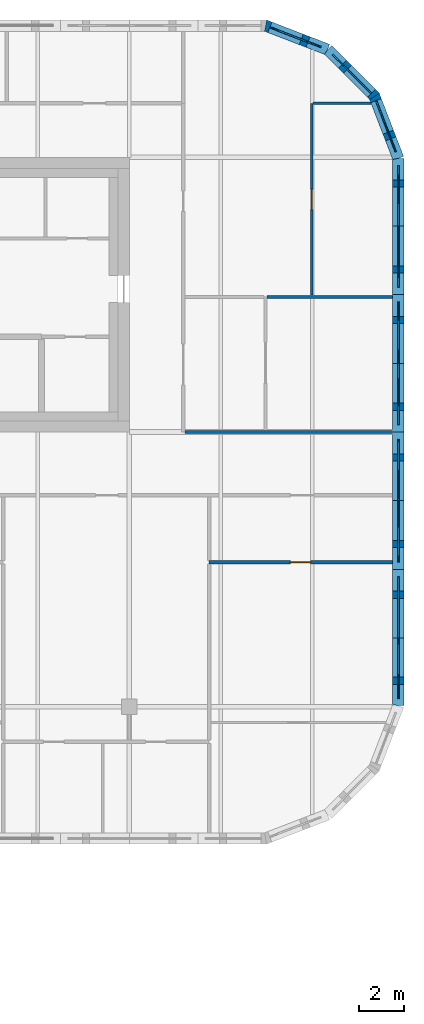
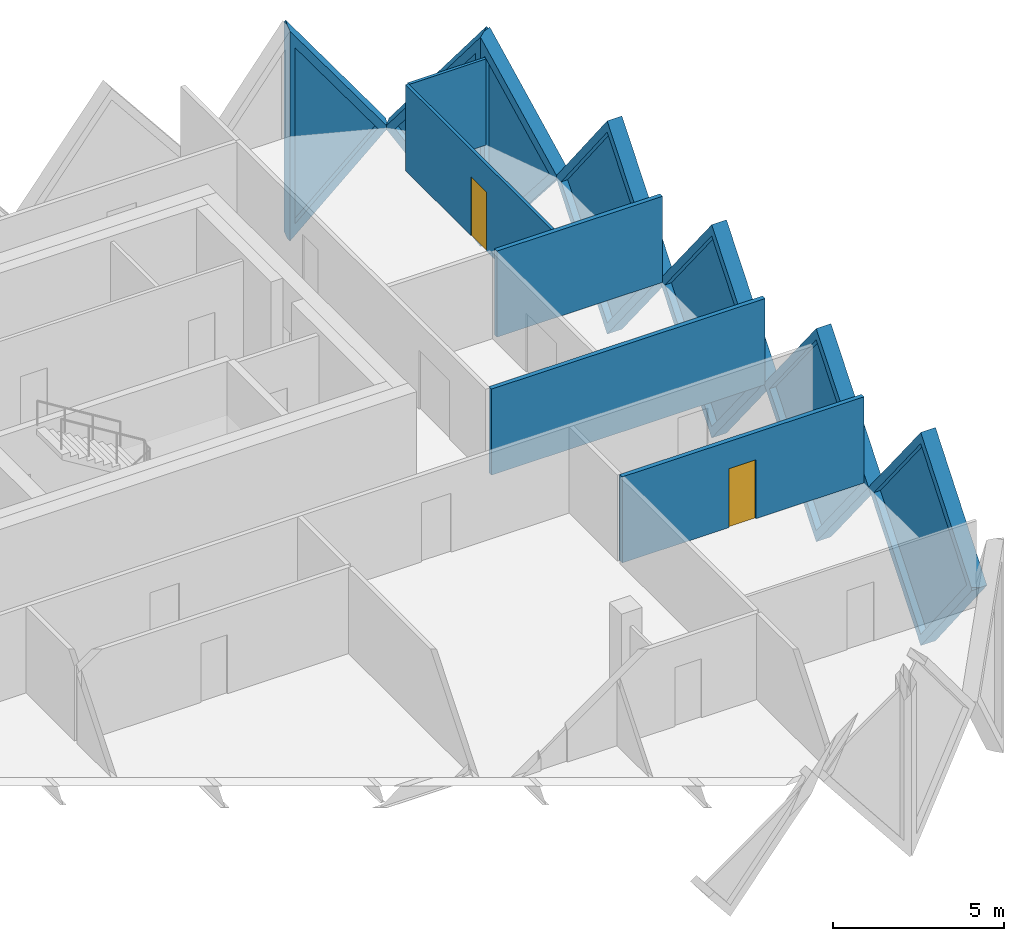
# One storey, part 16 of 19: 12 walls, 7 plates, 2 doors, 9 openings.
"""IFC4 building model written with IfcOpenShell, lengths in metres."""

from ifc_helpers import new_model, si_unit, direction, frame, frame_2d, origin, place, context, subcontext, project, spatial, polyline, rectangle, outline, extrude, faceted_brep, source, transform, mapped, material, layer, layer_set, type_object, element, fill, save


model = new_model("IFC4")

# Units and contexts
model_context = context("Model", 3, precision=1e-05, world=origin(), true_north=direction((0.0, 1.0)))
body_context = subcontext(model_context, "Body", "Model", "MODEL_VIEW")
ifc_project = project(units=[si_unit("LENGTHUNIT", "METRE"), si_unit("AREAUNIT", "SQUARE_METRE"), si_unit("VOLUMEUNIT", "CUBIC_METRE"), si_unit("PLANEANGLEUNIT", "RADIAN"), si_unit("MASSUNIT", "GRAM", prefix="KILO")], contexts=[model_context])

# Site, building, storey
site_placement = place(None, origin())
site = spatial("IfcSite", under=ifc_project, at=site_placement, CompositionType="ELEMENT")
building_placement = place(site_placement, origin())
building = spatial("IfcBuilding", under=site, at=building_placement, Name="Tessera Gate Towers", CompositionType="ELEMENT")
storey_placement = place(building_placement, frame((0.0, 0.0, 76.199951171875)))
storey = spatial("IfcBuildingStorey", under=building, at=storey_placement, Name="L18", CompositionType="ELEMENT", Elevation=76.199951171875)

# Wall
ifc_material_1 = material(Name="Gypsum board on steel studs, mineral wool", Category="steel")
ifc_layer_1 = layer(ifc_material_1, 0.14990234375)
ifc_layer_set_1 = layer_set([ifc_layer_1], Name="CORRIDOR WALL 150")
wall_type_1 = type_object("IfcWallType", Name="CORRIDOR WALL 150", PredefinedType="PARTITIONING", material=ifc_layer_set_1)
wall_1_placement = place(storey_placement, frame((124.47607421875, 36.60009765625, 0.0), z_axis=(0.0, 0.0, 1.0), x_axis=(1.0, 0.0, 0.0)))
element("IfcWall", 1, at=wall_1_placement, inside=storey, type_object=wall_type_1, Name="T2-L18-PW-031", PredefinedType="PARTITIONING", context=body_context, shape_type="SweptSolid", body=[
    extrude(rectangle(XDim=9.223876953125, YDim=0.14990234375, at=frame_2d((4.61181640625, 0.0))), origin(), (0.0, 0.0, 1.0), 3.067138671875),
])

# Wall, opening, door
ifc_material_2 = material(Name="Glass", Category="glass")
ifc_layer_2 = layer(ifc_material_2, 0.10009765625)
ifc_layer_set_2 = layer_set([ifc_layer_2], Name="GLAZED PARTITION 100")
wall_type_2 = type_object("IfcWallType", Name="GLAZED PARTITION 100", PredefinedType="PARTITIONING", material=ifc_layer_set_2)
wall_2_placement = place(storey_placement, frame((130.10009765625, 51.199951171875, 0.0), z_axis=(0.0, 0.0, 1.0), x_axis=(0.0, -1.0, 0.0)))
wall_2 = element("IfcWall", 2, at=wall_2_placement, inside=storey, type_object=wall_type_2, Name="T2-L18-PW-038", PredefinedType="PARTITIONING", context=body_context, shape_type="SweptSolid", body=[
    extrude(rectangle(XDim=8.52392578125, YDim=0.10009765625, at=frame_2d((4.261962890625, 0.0))), origin(), (0.0, 0.0, 1.0), 3.067138671875),
])
shared_shape_1 = source(origin(), body_context, "Body", "SweptSolid", [
    extrude(rectangle(XDim=0.89990234375, YDim=2.10009765625, at=frame_2d((0.449951171875, 1.050048828125))), frame((0.0, 0.06005859375, 0.0), z_axis=(0.0, -1.0, 0.0), x_axis=(1.0, 0.0, 0.0)), (0.0, 0.0, 1.0), 0.1201171875),
])
opening_1_placement = place(wall_2_placement, frame((3.823974609375, 0.0, 0.0)))
opening_1 = element("IfcOpeningElement", 3, at=opening_1_placement, cuts=wall_2, Name="Opening D690-B07-03", PredefinedType="OPENING", context=body_context, shape_type="MappedRepresentation", body=[
    mapped(shared_shape_1, transform((0.0, 0.0, 0.0), scale=1.0)),
])
ifc_material_3 = material(Name="Glass in aluminium frame", Category="aluminium")
door_type_1 = type_object("IfcDoorType", Name="GLAZED DOOR 900 NOT RATED", OperationType="NOTDEFINED", PredefinedType="DOOR", material=ifc_material_3)
shared_shape_2 = source(origin(), body_context, "Body", "SweptSolid", [
    extrude(rectangle(XDim=0.89990234375, YDim=2.10009765625, at=frame_2d((0.449951171875, 1.050048828125))), frame((0.0, 0.02490234375, 0.0), z_axis=(0.0, -1.0, 0.0), x_axis=(1.0, 0.0, 0.0)), (0.0, 0.0, 1.0), 0.050048828125),
])
door_1_placement = place(opening_1_placement, origin())
door_1 = element("IfcDoor", 4, at=door_1_placement, inside=storey, type_object=door_type_1, Name="T2-L18-PD-026", OperationType="SINGLE_SWING_RIGHT", OverallHeight=2.10009765625, OverallWidth=0.89990234375, PredefinedType="DOOR", context=body_context, shape_type="MappedRepresentation", body=[
    mapped(shared_shape_2, transform((0.0, 0.0, 0.0), scale=1.0)),
])
fill(opening_1, door_1)

# Wall
wall_3_placement = place(storey_placement, frame((130.15087890625, 51.199951171875, 0.0), z_axis=(0.0, 0.0, 1.0), x_axis=(1.0, 0.0, 0.0)))
element("IfcWall", 5, at=wall_3_placement, inside=storey, type_object=wall_type_2, Name="T2-L18-PW-048", PredefinedType="PARTITIONING", context=body_context, shape_type="SweptSolid", body=[
    extrude(rectangle(XDim=2.58740234375, YDim=0.10009765625, at=frame_2d((1.293701171875, 0.0))), origin(), (0.0, 0.0, 1.0), 3.067138671875),
])

# Wall, opening, door
ifc_material_4 = material(Name="Gypsum board on steel studs, mineral wool", Category="steel")
ifc_layer_3 = layer(ifc_material_4, 0.14990234375)
ifc_layer_set_3 = layer_set([ifc_layer_3], Name="TENANCY WALL 150")
wall_type_3 = type_object("IfcWallType", Name="TENANCY WALL 150", PredefinedType="PARTITIONING", material=ifc_layer_set_3)
wall_4_placement = place(storey_placement, frame((133.699951171875, 30.824951171875, 0.0), z_axis=(0.0, 0.0, 1.0), x_axis=(-1.0, 0.0, 0.0)))
wall_4 = element("IfcWall", 6, at=wall_4_placement, inside=storey, type_object=wall_type_3, Name="T2-L18-PW-023", PredefinedType="PARTITIONING", context=body_context, shape_type="SweptSolid", body=[
    extrude(rectangle(XDim=8.14990234375, YDim=0.14990234375, at=frame_2d((4.074951171875, 0.0))), origin(), (0.0, 0.0, 1.0), 3.067138671875),
])
shared_shape_3 = source(origin(), body_context, "Body", "SweptSolid", [
    extrude(rectangle(XDim=0.89990234375, YDim=2.10009765625, at=frame_2d((0.449951171875, 1.050048828125))), frame((0.0, 0.0849609375, 0.0), z_axis=(0.0, -1.0, 0.0), x_axis=(1.0, 0.0, 0.0)), (0.0, 0.0, 1.0), 0.169921875),
])
opening_2_placement = place(wall_4_placement, frame((3.64990234375, 0.0, 0.0)))
opening_2 = element("IfcOpeningElement", 7, at=opening_2_placement, cuts=wall_4, Name="Opening D190-B07-11", PredefinedType="OPENING", context=body_context, shape_type="MappedRepresentation", body=[
    mapped(shared_shape_3, transform((0.0, 0.0, 0.0), scale=1.0)),
])
ifc_material_5 = material(Name="Timber door leaf in steel frame", Category="steel")
door_type_2 = type_object("IfcDoorType", Name="INTERNAL DOOR 900 NOT RATED", OperationType="NOTDEFINED", PredefinedType="DOOR", material=ifc_material_5)
door_2_placement = place(opening_2_placement, origin())
door_2 = element("IfcDoor", 8, at=door_2_placement, inside=storey, type_object=door_type_2, Name="T2-L18-PD-019", OperationType="SINGLE_SWING_RIGHT", OverallHeight=2.10009765625, OverallWidth=0.89990234375, PredefinedType="DOOR", context=body_context, shape_type="MappedRepresentation", body=[
    mapped(shared_shape_2, transform((0.0, 0.0, 0.0), scale=1.0)),
])
fill(opening_2, door_2)

# Wall
wall_5_placement = place(storey_placement, frame((128.1259765625, 42.60009765625, 0.0), z_axis=(0.0, 0.0, 1.0), x_axis=(1.0, 0.0, 0.0)))
element("IfcWall", 9, at=wall_5_placement, inside=storey, type_object=wall_type_3, Name="T2-L18-PW-037", PredefinedType="PARTITIONING", context=body_context, shape_type="SweptSolid", body=[
    extrude(rectangle(XDim=5.573974609375, YDim=0.14990234375, at=frame_2d((2.787109375, 0.0))), origin(), (0.0, 0.0, 1.0), 3.067138671875),
])

# Wall, opening, plate
ifc_material_6 = material(Name="Precast concrete C60/75 white", Category="concrete")
ifc_layer_4 = layer(ifc_material_6, 0.5)
ifc_layer_set_4 = layer_set([ifc_layer_4], Name="TS1 tessera")
wall_type_4 = type_object("IfcWallType", Name="TS1 tessera", PredefinedType="SOLIDWALL", material=ifc_layer_set_4)
shared_shape_4 = source(origin(), body_context, "Body", "Brep", [
    faceted_brep([(3.00341796875, -0.25, 0.0), (6.053466796875, -0.25, 3.800048828125), (3.00341796875, -0.25, 7.60009765625), (0.0, -0.25, 3.800048828125), (0.046630859375, 0.25, 3.85888671875), (3.00341796875, 0.25, 7.60009765625), (6.053466796875, 0.25, 3.800048828125), (3.00341796875, 0.25, 0.0), (0.046630859375, 0.25, 3.7412109375), (0.0, 0.0, 3.800048828125)], [[[0, 1, 2, 3]], [[4, 5, 6, 7, 8]], [[7, 6, 1, 0]], [[6, 5, 2, 1]], [[5, 4, 9, 3, 2]], [[8, 7, 0, 3, 9]], [[8, 9, 4]]]),
])
wall_6_placement = place(storey_placement, frame((133.949951171875, 24.446533203125, -3.800048828125), z_axis=(0.0, 0.0, 1.0), x_axis=(0.0, 1.0, 0.0)))
wall_6 = element("IfcWall", 10, at=wall_6_placement, inside=storey, type_object=wall_type_4, Name="Precast tessera T2 TS1-0203", PredefinedType="SOLIDWALL", context=body_context, shape_type="MappedRepresentation", body=[
    mapped(shared_shape_4, transform((0.0, 0.0, 0.0), scale=1.0)),
])
shared_shape_5 = source(origin(), body_context, "Body", "SweptSolid", [
    extrude(outline(polyline([(3.0048828125, 0.4013671875), (5.73291015625, 3.800048828125), (3.0048828125, 7.19873046875), (0.318603515625, 3.800048828125), (3.0048828125, 0.4013671875)])), frame((0.0, 0.260009765625, 0.0), z_axis=(0.0, -1.0, 0.0), x_axis=(1.0, 0.0, 0.0)), (0.0, 0.0, 1.0), 0.52001953125),
])
opening_3_placement = place(wall_6_placement, origin())
opening_3 = element("IfcOpeningElement", 11, at=opening_3_placement, cuts=wall_6, Name="Opening T2-PL2-0385", PredefinedType="OPENING", context=body_context, shape_type="MappedRepresentation", body=[
    mapped(shared_shape_5, transform((0.0, 0.0, 0.0), scale=1.0)),
])
ifc_material_7 = material(Name="Low-e laminated glass", Category="glass")
ifc_layer_5 = layer(ifc_material_7, 0.06005859375)
ifc_layer_set_5 = layer_set([ifc_layer_5], Name="PL2 rhombic pane")
plate_type = type_object("IfcPlateType", Name="PL2 rhombic pane", PredefinedType="SHEET", material=ifc_layer_set_5)
shared_shape_6 = source(origin(), body_context, "Body", "SweptSolid", [
    extrude(outline(polyline([(3.0048828125, 0.4013671875), (5.73291015625, 3.800048828125), (3.0048828125, 7.19873046875), (0.318603515625, 3.800048828125), (3.0048828125, 0.4013671875)])), frame((0.0, 0.030029296875, 0.0), z_axis=(0.0, -1.0, 0.0), x_axis=(1.0, 0.0, 0.0)), (0.0, 0.0, 1.0), 0.06005859375),
])
plate_1_placement = place(opening_3_placement, origin())
plate_1 = element("IfcPlate", 12, at=plate_1_placement, inside=storey, type_object=plate_type, Name="Glass pane T2 PL2-0385", PredefinedType="SHEET", context=body_context, shape_type="MappedRepresentation", body=[
    mapped(shared_shape_6, transform((0.0, 0.0, 0.0), scale=1.0)),
])
fill(opening_3, plate_1)

shared_shape_7 = source(origin(), body_context, "Body", "Brep", [
    faceted_brep([(3.050048828125, -0.25, 0.0), (6.099853515625, -0.25, 3.7998046875), (6.099853515625, -0.25, 3.80029296875), (3.050048828125, -0.25, 7.60009765625), (0.0, -0.25, 3.800048828125), (0.0, 0.25, 3.800048828125), (3.050048828125, 0.25, 7.60009765625), (6.099853515625, 0.25, 3.80029296875), (6.099853515625, 0.25, 3.7998046875), (3.050048828125, 0.25, 0.0)], [[[0, 1, 2, 3, 4]], [[5, 6, 7, 8, 9]], [[9, 8, 1, 0]], [[7, 6, 3, 2]], [[6, 5, 4, 3]], [[5, 9, 0, 4]], [[1, 8, 7, 2]]]),
])
wall_7_placement = place(storey_placement, frame((133.949951171875, 36.60009765625, -3.800048828125), z_axis=(0.0, 0.0, 1.0), x_axis=(0.0, 1.0, 0.0)))
wall_7 = element("IfcWall", 13, at=wall_7_placement, inside=storey, type_object=wall_type_4, Name="Precast tessera T2 TS1-0205", PredefinedType="SOLIDWALL", context=body_context, shape_type="MappedRepresentation", body=[
    mapped(shared_shape_7, transform((0.0, 0.0, 0.0), scale=1.0)),
])
shared_shape_8 = source(origin(), body_context, "Body", "SweptSolid", [
    extrude(outline(polyline([(3.050048828125, 0.3994140625), (5.779541015625, 3.800048828125), (3.050048828125, 7.20068359375), (0.320556640625, 3.800048828125), (3.050048828125, 0.3994140625)])), frame((0.0, 0.260009765625, 0.0), z_axis=(0.0, -1.0, 0.0), x_axis=(1.0, 0.0, 0.0)), (0.0, 0.0, 1.0), 0.52001953125),
])
opening_4_placement = place(wall_7_placement, origin())
opening_4 = element("IfcOpeningElement", 14, at=opening_4_placement, cuts=wall_7, Name="Opening T2-PL2-0387", PredefinedType="OPENING", context=body_context, shape_type="MappedRepresentation", body=[
    mapped(shared_shape_8, transform((0.0, 0.0, 0.0), scale=1.0)),
])
shared_shape_9 = source(origin(), body_context, "Body", "SweptSolid", [
    extrude(outline(polyline([(3.050048828125, 0.3994140625), (5.779541015625, 3.800048828125), (3.050048828125, 7.20068359375), (0.320556640625, 3.800048828125), (3.050048828125, 0.3994140625)])), frame((0.0, 0.030029296875, 0.0), z_axis=(0.0, -1.0, 0.0), x_axis=(1.0, 0.0, 0.0)), (0.0, 0.0, 1.0), 0.06005859375),
])
plate_2_placement = place(opening_4_placement, origin())
plate_2 = element("IfcPlate", 15, at=plate_2_placement, inside=storey, type_object=plate_type, Name="Glass pane T2 PL2-0387", PredefinedType="SHEET", context=body_context, shape_type="MappedRepresentation", body=[
    mapped(shared_shape_9, transform((0.0, 0.0, 0.0), scale=1.0)),
])
fill(opening_4, plate_2)

shared_shape_10 = source(origin(), body_context, "Body", "SweptSolid", [
    extrude(outline(polyline([(3.050048828125, 0.0), (6.10009765625, 3.800048828125), (3.050048828125, 7.60009765625), (0.0, 3.800048828125), (3.050048828125, 0.0)])), frame((0.0, 0.25, 0.0), z_axis=(0.0, -1.0, 0.0), x_axis=(1.0, 0.0, 0.0)), (0.0, 0.0, 1.0), 0.5),
])
wall_8_placement = place(storey_placement, frame((133.949951171875, 30.5, -3.800048828125), z_axis=(0.0, 0.0, 1.0), x_axis=(0.0, 1.0, 0.0)))
wall_8 = element("IfcWall", 16, at=wall_8_placement, inside=storey, type_object=wall_type_4, Name="Precast tessera T2 TS1-0204", PredefinedType="SOLIDWALL", context=body_context, shape_type="MappedRepresentation", body=[
    mapped(shared_shape_10, transform((0.0, 0.0, 0.0), scale=1.0)),
])
opening_5_placement = place(wall_8_placement, origin())
opening_5 = element("IfcOpeningElement", 17, at=opening_5_placement, cuts=wall_8, Name="Opening T2-PL2-0386", PredefinedType="OPENING", context=body_context, shape_type="MappedRepresentation", body=[
    mapped(shared_shape_8, transform((0.0, 0.0, 0.0), scale=1.0)),
])
plate_3_placement = place(opening_5_placement, origin())
plate_3 = element("IfcPlate", 18, at=plate_3_placement, inside=storey, type_object=plate_type, Name="Glass pane T2 PL2-0386", PredefinedType="SHEET", context=body_context, shape_type="MappedRepresentation", body=[
    mapped(shared_shape_9, transform((0.0, 0.0, 0.0), scale=1.0)),
])
fill(opening_5, plate_3)

shared_shape_11 = source(origin(), body_context, "Body", "Brep", [
    faceted_brep([(3.050048828125, -0.25, 0.0), (6.053466796875, -0.25, 3.800048828125), (3.050048828125, -0.25, 7.60009765625), (0.0, -0.25, 3.800048828125), (0.0, 0.25, 3.800048828125), (3.050048828125, 0.25, 7.60009765625), (6.0068359375, 0.25, 3.85888671875), (6.0068359375, 0.25, 3.7412109375), (3.050048828125, 0.25, 0.0), (6.053466796875, 0.0, 3.800048828125)], [[[0, 1, 2, 3]], [[4, 5, 6, 7, 8]], [[8, 7, 9, 1, 0]], [[6, 5, 2, 1, 9]], [[5, 4, 3, 2]], [[4, 8, 0, 3]], [[9, 7, 6]]]),
])
wall_9_placement = place(storey_placement, frame((133.949951171875, 42.699951171875, -3.800048828125), z_axis=(0.0, 0.0, 1.0), x_axis=(0.0, 1.0, 0.0)))
wall_9 = element("IfcWall", 19, at=wall_9_placement, inside=storey, type_object=wall_type_4, Name="Precast tessera T2 TS1-0206", PredefinedType="SOLIDWALL", context=body_context, shape_type="MappedRepresentation", body=[
    mapped(shared_shape_11, transform((0.0, 0.0, 0.0), scale=1.0)),
])
shared_shape_12 = source(origin(), body_context, "Body", "SweptSolid", [
    extrude(outline(polyline([(3.048583984375, 0.4013671875), (5.73486328125, 3.800048828125), (3.048583984375, 7.19873046875), (0.320556640625, 3.800048828125), (3.048583984375, 0.4013671875)])), frame((0.0, 0.260009765625, 0.0), z_axis=(0.0, -1.0, 0.0), x_axis=(1.0, 0.0, 0.0)), (0.0, 0.0, 1.0), 0.52001953125),
])
opening_6_placement = place(wall_9_placement, origin())
opening_6 = element("IfcOpeningElement", 20, at=opening_6_placement, cuts=wall_9, Name="Opening T2-PL2-0388", PredefinedType="OPENING", context=body_context, shape_type="MappedRepresentation", body=[
    mapped(shared_shape_12, transform((0.0, 0.0, 0.0), scale=1.0)),
])
shared_shape_13 = source(origin(), body_context, "Body", "SweptSolid", [
    extrude(outline(polyline([(3.048583984375, 0.4013671875), (5.73486328125, 3.800048828125), (3.048583984375, 7.19873046875), (0.320556640625, 3.800048828125), (3.048583984375, 0.4013671875)])), frame((0.0, 0.030029296875, 0.0), z_axis=(0.0, -1.0, 0.0), x_axis=(1.0, 0.0, 0.0)), (0.0, 0.0, 1.0), 0.06005859375),
])
plate_4_placement = place(opening_6_placement, origin())
plate_4 = element("IfcPlate", 21, at=plate_4_placement, inside=storey, type_object=plate_type, Name="Glass pane T2 PL2-0388", PredefinedType="SHEET", context=body_context, shape_type="MappedRepresentation", body=[
    mapped(shared_shape_13, transform((0.0, 0.0, 0.0), scale=1.0)),
])
fill(opening_6, plate_4)

ifc_material_8 = material(Name="Precast concrete C60/75 white", Category="concrete")
ifc_layer_6 = layer(ifc_material_8, 0.5)
ifc_layer_set_6 = layer_set([ifc_layer_6], Name="TS3 corner tessera")
wall_type_5 = type_object("IfcWallType", Name="TS3 corner tessera", PredefinedType="SOLIDWALL", material=ifc_layer_set_6)
shared_shape_14 = source(origin(), body_context, "Body", "Brep", [
    faceted_brep([(2.950439453125, -0.25, 0.0), (3.00341796875, -0.25, 0.068359375), (3.00341796875, -0.25, 7.53173828125), (2.950439453125, -0.25, 7.60009765625), (0.0, -0.25, 3.800048828125), (0.046630859375, 0.25, 3.860107421875), (2.897705078125, 0.25, 7.531982421875), (2.897705078125, 0.25, 0.068115234375), (0.046630859375, 0.25, 3.739990234375), (2.950439453125, 0.00048828125, 0.0), (2.950439453125, 0.00048828125, 7.60009765625), (0.0, 0.0, 3.800048828125)], [[[0, 1, 2, 3, 4]], [[5, 6, 7, 8]], [[1, 0, 9]], [[10, 3, 2]], [[6, 5, 11, 4, 3, 10]], [[8, 7, 9, 0, 4, 11]], [[8, 11, 5]], [[1, 9, 7, 6, 10, 2]]]),
])
wall_10_placement = place(storey_placement, frame((133.949951171875, 48.75341796875, -3.800048828125), z_axis=(0.0, 0.0, 1.0), x_axis=(-0.359855894603, 0.933007896601, 0.0)))
wall_10 = element("IfcWall", 22, at=wall_10_placement, inside=storey, type_object=wall_type_5, Name="Precast corner tessera T2 TS3-0263", PredefinedType="SOLIDWALL", context=body_context, shape_type="MappedRepresentation", body=[
    mapped(shared_shape_14, transform((0.0, 0.0, 0.0), scale=1.0)),
])
shared_shape_15 = source(origin(), body_context, "Body", "SweptSolid", [
    extrude(outline(polyline([(2.75048828125, 6.934814453125), (0.31640625, 3.800048828125), (2.75048828125, 0.665283203125), (2.75048828125, 6.934814453125)])), frame((0.0, 0.260009765625, 0.0), z_axis=(0.0, -1.0, 0.0), x_axis=(1.0, 0.0, 0.0)), (0.0, 0.0, 1.0), 0.52001953125),
])
opening_7_placement = place(wall_10_placement, origin())
opening_7 = element("IfcOpeningElement", 23, at=opening_7_placement, cuts=wall_10, Name="Opening T2-PL2-0389", PredefinedType="OPENING", context=body_context, shape_type="MappedRepresentation", body=[
    mapped(shared_shape_15, transform((0.0, 0.0, 0.0), scale=1.0)),
])
shared_shape_16 = source(origin(), body_context, "Body", "SweptSolid", [
    extrude(outline(polyline([(2.75048828125, 6.934814453125), (0.31640625, 3.800048828125), (2.75048828125, 0.665283203125), (2.75048828125, 6.934814453125)])), frame((0.0, 0.030029296875, 0.0), z_axis=(0.0, -1.0, 0.0), x_axis=(1.0, 0.0, 0.0)), (0.0, 0.0, 1.0), 0.06005859375),
])
plate_5_placement = place(opening_7_placement, origin())
plate_5 = element("IfcPlate", 24, at=plate_5_placement, inside=storey, type_object=plate_type, Name="Glass pane T2 PL2-0389", PredefinedType="SHEET", context=body_context, shape_type="MappedRepresentation", body=[
    mapped(shared_shape_16, transform((0.0, 0.0, 0.0), scale=1.0)),
])
fill(opening_7, plate_5)

shared_shape_17 = source(origin(), body_context, "Body", "Brep", [
    faceted_brep([(0.052978515625, -0.25, 0.0), (2.9970703125, -0.25, 3.800048828125), (0.052978515625, -0.25, 7.60009765625), (0.0, -0.25, 7.531982421875), (0.0, -0.25, 0.068115234375), (0.10595703125, 0.25, 7.53173828125), (2.944091796875, 0.25, 3.8681640625), (2.944091796875, 0.25, 3.73193359375), (0.10595703125, 0.25, 0.068359375), (2.9970703125, 0.000244140625, 3.800048828125), (0.052978515625, 0.0, 0.0), (0.052978515625, 0.0, 7.60009765625)], [[[0, 1, 2, 3, 4]], [[5, 6, 7, 8]], [[8, 7, 9, 1, 0, 10]], [[6, 5, 11, 2, 1, 9]], [[3, 2, 11]], [[10, 0, 4]], [[8, 10, 4, 3, 11, 5]], [[9, 7, 6]]]),
])
wall_11_placement = place(storey_placement, frame((132.925537109375, 51.46875, -3.800048828125), z_axis=(0.0, 0.0, 1.0), x_axis=(-0.707066050402, 0.707147509625, 0.0)))
wall_11 = element("IfcWall", 25, at=wall_11_placement, inside=storey, type_object=wall_type_5, Name="Precast corner tessera T2 TS3-0264", PredefinedType="SOLIDWALL", context=body_context, shape_type="MappedRepresentation", body=[
    mapped(shared_shape_17, transform((0.0, 0.0, 0.0), scale=1.0)),
])
shared_shape_18 = source(origin(), body_context, "Body", "SweptSolid", [
    extrude(outline(polyline([(0.2529296875, 0.66650390625), (2.680908203125, 3.800048828125), (0.2529296875, 6.933837890625), (0.2529296875, 0.66650390625)])), frame((0.0, 0.260009765625, 0.0), z_axis=(0.0, -1.0, 0.0), x_axis=(1.0, 0.0, 0.0)), (0.0, 0.0, 1.0), 0.52001953125),
])
opening_8_placement = place(wall_11_placement, origin())
opening_8 = element("IfcOpeningElement", 26, at=opening_8_placement, cuts=wall_11, Name="Opening T2-PL2-0390", PredefinedType="OPENING", context=body_context, shape_type="MappedRepresentation", body=[
    mapped(shared_shape_18, transform((0.0, 0.0, 0.0), scale=1.0)),
])
shared_shape_19 = source(origin(), body_context, "Body", "SweptSolid", [
    extrude(outline(polyline([(0.2529296875, 0.66650390625), (2.680908203125, 3.800048828125), (0.2529296875, 6.933837890625), (0.2529296875, 0.66650390625)])), frame((0.0, 0.030029296875, 0.0), z_axis=(0.0, -1.0, 0.0), x_axis=(1.0, 0.0, 0.0)), (0.0, 0.0, 1.0), 0.06005859375),
])
plate_6_placement = place(opening_8_placement, origin())
plate_6 = element("IfcPlate", 27, at=plate_6_placement, inside=storey, type_object=plate_type, Name="Glass pane T2 PL2-0390", PredefinedType="SHEET", context=body_context, shape_type="MappedRepresentation", body=[
    mapped(shared_shape_19, transform((0.0, 0.0, 0.0), scale=1.0)),
])
fill(opening_8, plate_6)

shared_shape_20 = source(origin(), body_context, "Body", "Brep", [
    faceted_brep([(2.950439453125, -0.25, 0.0), (2.9970703125, -0.25, 0.05908203125), (2.9970703125, -0.25, 7.541015625), (2.950439453125, -0.25, 7.60009765625), (0.0, -0.25, 3.800048828125), (0.052978515625, 0.25, 3.8681640625), (2.904052734375, 0.25, 7.540283203125), (2.904052734375, 0.25, 0.059814453125), (0.052978515625, 0.25, 3.73193359375), (2.950439453125, 0.00048828125, 0.0), (2.950439453125, 0.00048828125, 7.60009765625), (0.0, 0.0, 3.800048828125)], [[[0, 1, 2, 3, 4]], [[5, 6, 7, 8]], [[1, 0, 9]], [[10, 3, 2]], [[6, 5, 11, 4, 3, 10]], [[8, 7, 9, 0, 4, 11]], [[8, 11, 5]], [[1, 9, 7, 6, 10, 2]]]),
])
wall_12_placement = place(storey_placement, frame((130.80615234375, 53.588134765625, -3.800048828125), z_axis=(0.0, 0.0, 1.0), x_axis=(-0.932990326376, 0.359901446078, 0.0)))
wall_12 = element("IfcWall", 28, at=wall_12_placement, inside=storey, type_object=wall_type_5, Name="Precast corner tessera T2 TS3-0265", PredefinedType="SOLIDWALL", context=body_context, shape_type="MappedRepresentation", body=[
    mapped(shared_shape_20, transform((0.0, 0.0, 0.0), scale=1.0)),
])
opening_9_placement = place(wall_12_placement, origin())
opening_9 = element("IfcOpeningElement", 29, at=opening_9_placement, cuts=wall_12, Name="Opening T2-PL2-0391", PredefinedType="OPENING", context=body_context, shape_type="MappedRepresentation", body=[
    mapped(shared_shape_15, transform((0.0, 0.0, 0.0), scale=1.0)),
])
plate_7_placement = place(opening_9_placement, origin())
plate_7 = element("IfcPlate", 30, at=plate_7_placement, inside=storey, type_object=plate_type, Name="Glass pane T2 PL2-0391", PredefinedType="SHEET", context=body_context, shape_type="MappedRepresentation", body=[
    mapped(shared_shape_16, transform((0.0, 0.0, 0.0), scale=1.0)),
])
fill(opening_9, plate_7)

save(model, "model.ifc")
